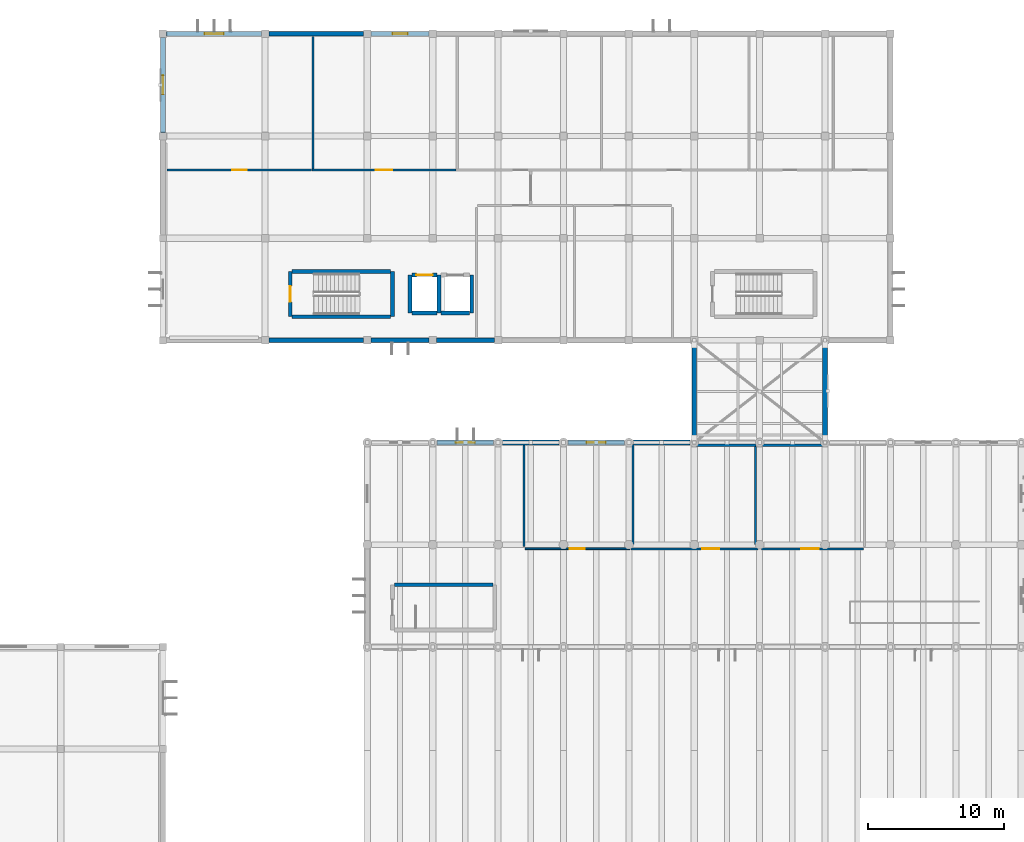
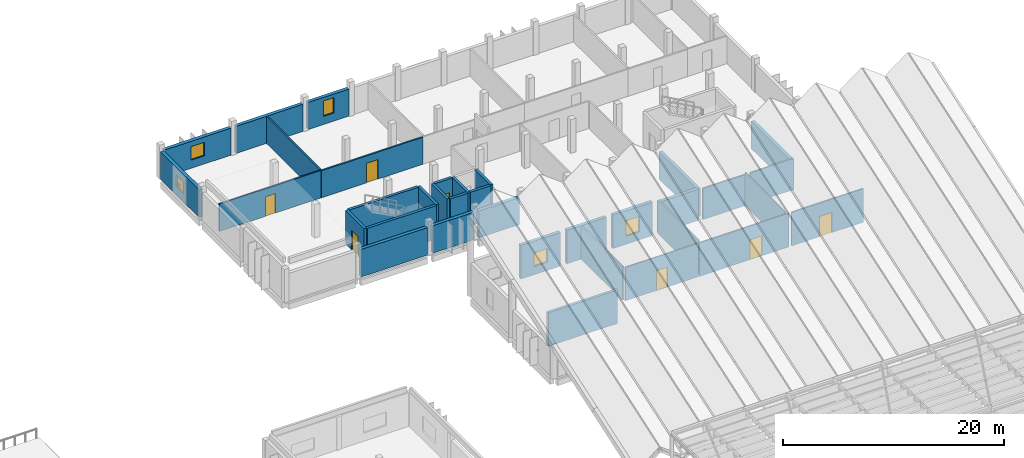
# One storey, part 30 of 47: 35 walls, 7 doors, 5 windows, 12 openings.
"""IFC4 building model written with IfcOpenShell, lengths in metres."""

from ifc_helpers import new_model, si_unit, direction, frame, frame_2d, origin, place, context, subcontext, project, spatial, rectangle, extrude, material, layer, layer_set, type_object, element, fill, save


model = new_model("IFC4")

# Units and contexts
model_context = context("Model", 3, precision=1e-05, world=origin(), true_north=direction((0.0, 1.0)))
body_context = subcontext(model_context, "Body", "Model", "MODEL_VIEW")
ifc_project = project(units=[si_unit("LENGTHUNIT", "METRE"), si_unit("AREAUNIT", "SQUARE_METRE"), si_unit("VOLUMEUNIT", "CUBIC_METRE"), si_unit("PLANEANGLEUNIT", "RADIAN"), si_unit("MASSUNIT", "GRAM", prefix="KILO")], contexts=[model_context])

# Site, building, storey
site_placement = place(None, origin())
site = spatial("IfcSite", under=ifc_project, at=site_placement, CompositionType="ELEMENT")
building_placement = place(site_placement, origin())
building = spatial("IfcBuilding", under=site, at=building_placement, Name="Mawjan Specialist Oncology Clinic", CompositionType="ELEMENT")
storey_placement = place(building_placement, frame((0.0, 0.0, 9.5)))
storey = spatial("IfcBuildingStorey", under=building, at=storey_placement, Name="L02", CompositionType="ELEMENT", Elevation=9.5)

# Walls
ifc_material_1 = material(Name="Precast concrete C40/50", Category="concrete")
ifc_layer_1 = layer(ifc_material_1, 0.35009765625, Name="Precast concrete C40/50", Category="concrete")
ifc_layer_set_1 = layer_set([ifc_layer_1], Name="Precast concrete C40/50")
wall_type_1 = type_object("IfcWallType", Name="EW-350", PredefinedType="SOLIDWALL", material=ifc_layer_set_1)
wall_1_placement = place(storey_placement, frame((69.324951171875, 83.300048828125, 0.0), z_axis=(0.0, 0.0, 1.0), x_axis=(-1.0, 0.0, 0.0)))
element("IfcWall", 1, at=wall_1_placement, inside=storey, type_object=wall_type_1, Name="L02 Coral-Limestone Exterior Wall EW-L02-209", PredefinedType="SOLIDWALL", context=body_context, shape_type="SweptSolid", body=[
    extrude(rectangle(XDim=4.25, YDim=0.35009765625, at=frame_2d((2.125, 0.0))), origin(), (0.0, 0.0, 1.0), 2.985107421875),
])
wall_2_placement = place(storey_placement, frame((64.52490234375, 83.300048828125, 0.0), z_axis=(0.0, 0.0, 1.0), x_axis=(-1.0, 0.0, 0.0)))
element("IfcWall", 2, at=wall_2_placement, inside=storey, type_object=wall_type_1, Name="L02 Coral-Limestone Exterior Wall EW-L02-210", PredefinedType="SOLIDWALL", context=body_context, shape_type="SweptSolid", body=[
    extrude(rectangle(XDim=4.25, YDim=0.35009765625, at=frame_2d((2.125, 0.0))), origin(), (0.0, 0.0, 1.0), 3.034912109375),
])
wall_3_placement = place(storey_placement, frame((59.72509765625, 83.300048828125, 0.0), z_axis=(0.0, 0.0, 1.0), x_axis=(-1.0, 0.0, 0.0)))
element("IfcWall", 3, at=wall_3_placement, inside=storey, type_object=wall_type_1, Name="L02 Coral-Limestone Exterior Wall EW-L02-211", PredefinedType="SOLIDWALL", context=body_context, shape_type="SweptSolid", body=[
    extrude(rectangle(XDim=6.9501953125, YDim=0.35009765625, at=frame_2d((3.47509765625, 0.0))), origin(), (0.0, 0.0, 1.0), 3.034912109375),
])

# Wall, opening, window
wall_4_placement = place(storey_placement, frame((45.0, 98.574951171875, 0.0), z_axis=(0.0, 0.0, 1.0), x_axis=(0.0, 1.0, 0.0)))
wall_4 = element("IfcWall", 4, at=wall_4_placement, inside=storey, type_object=wall_type_1, Name="L02 Coral-Limestone Exterior Wall EW-L02-215", PredefinedType="SOLIDWALL", context=body_context, shape_type="SweptSolid", body=[
    extrude(rectangle(XDim=6.949951171875, YDim=0.35009765625, at=frame_2d((3.47509765625, 0.0))), origin(), (0.0, 0.0, 1.0), 3.034912109375),
])
opening_1_placement = place(wall_4_placement, frame((2.77490234375, 0.0, 0.89990234375)))
opening_1 = element("IfcOpeningElement", 5, at=opening_1_placement, cuts=wall_4, Name="Opening WN-13", PredefinedType="OPENING", context=body_context, shape_type="SweptSolid", body=[
    extrude(rectangle(XDim=1.39990234375, YDim=1.300048828125, at=frame_2d((0.699951171875, 0.64990234375))), frame((0.0, 0.18701171875, 0.0), z_axis=(0.0, -1.0, 0.0), x_axis=(1.0, 0.0, 0.0)), (0.0, 0.0, 1.0), 0.3740234375),
])
ifc_material_2 = material(Name="Thermally broken low-E clinical aluminium window", Category="aluminium")
window_type_1 = type_object("IfcWindowType", Name="WN-13", PartitioningType="SINGLE_PANEL", PredefinedType="WINDOW", material=ifc_material_2)
window_1_placement = place(opening_1_placement, origin())
window_1 = element("IfcWindow", 6, at=window_1_placement, inside=storey, type_object=window_type_1, Name="L02 Clinical Low-E Window 041", OverallHeight=1.300048828125, OverallWidth=1.39990234375, PartitioningType="SINGLE_PANEL", PredefinedType="WINDOW", context=body_context, shape_type="SweptSolid", body=[
    extrude(rectangle(XDim=1.39990234375, YDim=1.300048828125, at=frame_2d((0.699951171875, 0.64990234375))), frame((0.0, 0.030029296875, 0.0), z_axis=(0.0, -1.0, 0.0), x_axis=(1.0, 0.0, 0.0)), (0.0, 0.0, 1.0), 0.06005859375),
])
fill(opening_1, window_1)

wall_5_placement = place(storey_placement, frame((45.27490234375, 105.800048828125, 0.0), z_axis=(0.0, 0.0, 1.0), x_axis=(1.0, 0.0, 0.0)))
wall_5 = element("IfcWall", 7, at=wall_5_placement, inside=storey, type_object=wall_type_1, Name="L02 Coral-Limestone Exterior Wall EW-L02-216", PredefinedType="SOLIDWALL", context=body_context, shape_type="SweptSolid", body=[
    extrude(rectangle(XDim=6.9501953125, YDim=0.35009765625, at=frame_2d((3.47509765625, 0.0))), origin(), (0.0, 0.0, 1.0), 2.985107421875),
])
opening_2_placement = place(wall_5_placement, frame((2.77490234375, 0.0, 0.89990234375)))
opening_2 = element("IfcOpeningElement", 8, at=opening_2_placement, cuts=wall_5, Name="Opening WN-14", PredefinedType="OPENING", context=body_context, shape_type="SweptSolid", body=[
    extrude(rectangle(XDim=1.39990234375, YDim=1.5, at=frame_2d((0.699951171875, 0.75))), frame((0.0, 0.18701171875, 0.0), z_axis=(0.0, -1.0, 0.0), x_axis=(1.0, 0.0, 0.0)), (0.0, 0.0, 1.0), 0.3740234375),
])
ifc_material_3 = material(Name="Thermally broken low-E clinical aluminium window", Category="aluminium")
window_type_2 = type_object("IfcWindowType", Name="WN-14", PartitioningType="SINGLE_PANEL", PredefinedType="WINDOW", material=ifc_material_3)
window_2_placement = place(opening_2_placement, origin())
window_2 = element("IfcWindow", 9, at=window_2_placement, inside=storey, type_object=window_type_2, Name="L02 Clinical Low-E Window 042", OverallHeight=1.5, OverallWidth=1.39990234375, PartitioningType="SINGLE_PANEL", PredefinedType="WINDOW", context=body_context, shape_type="SweptSolid", body=[
    extrude(rectangle(XDim=1.39990234375, YDim=1.5, at=frame_2d((0.699951171875, 0.75))), frame((0.0, 0.030029296875, 0.0), z_axis=(0.0, -1.0, 0.0), x_axis=(1.0, 0.0, 0.0)), (0.0, 0.0, 1.0), 0.06005859375),
])
fill(opening_2, window_2)

# Wall
wall_6_placement = place(storey_placement, frame((52.77490234375, 105.800048828125, 0.0), z_axis=(0.0, 0.0, 1.0), x_axis=(1.0, 0.0, 0.0)))
element("IfcWall", 10, at=wall_6_placement, inside=storey, type_object=wall_type_1, Name="L02 Coral-Limestone Exterior Wall EW-L02-217", PredefinedType="SOLIDWALL", context=body_context, shape_type="SweptSolid", body=[
    extrude(rectangle(XDim=6.9501953125, YDim=0.35009765625, at=frame_2d((3.47509765625, 0.0))), origin(), (0.0, 0.0, 1.0), 2.985107421875),
])

# Wall, opening, window
wall_7_placement = place(storey_placement, frame((60.27490234375, 105.800048828125, 0.0), z_axis=(0.0, 0.0, 1.0), x_axis=(1.0, 0.0, 0.0)))
wall_7 = element("IfcWall", 11, at=wall_7_placement, inside=storey, type_object=wall_type_1, Name="L02 Coral-Limestone Exterior Wall EW-L02-218", PredefinedType="SOLIDWALL", context=body_context, shape_type="SweptSolid", body=[
    extrude(rectangle(XDim=4.25, YDim=0.35009765625, at=frame_2d((2.125, 0.0))), origin(), (0.0, 0.0, 1.0), 2.985107421875),
])
opening_3_placement = place(wall_7_placement, frame((1.574951171875, 0.0, 0.89990234375)))
opening_3 = element("IfcOpeningElement", 12, at=opening_3_placement, cuts=wall_7, Name="Opening WN-07", PredefinedType="OPENING", context=body_context, shape_type="SweptSolid", body=[
    extrude(rectangle(XDim=1.10009765625, YDim=1.699951171875, at=frame_2d((0.550048828125, 0.85009765625))), frame((0.0, 0.18701171875, 0.0), z_axis=(0.0, -1.0, 0.0), x_axis=(1.0, 0.0, 0.0)), (0.0, 0.0, 1.0), 0.3740234375),
])
ifc_material_4 = material(Name="Thermally broken low-E clinical aluminium window", Category="aluminium")
window_type_3 = type_object("IfcWindowType", Name="WN-07", PartitioningType="SINGLE_PANEL", PredefinedType="WINDOW", material=ifc_material_4)
window_3_placement = place(opening_3_placement, origin())
window_3 = element("IfcWindow", 13, at=window_3_placement, inside=storey, type_object=window_type_3, Name="L02 Clinical Low-E Window 043", OverallHeight=1.699951171875, OverallWidth=1.10009765625, PartitioningType="SINGLE_PANEL", PredefinedType="WINDOW", context=body_context, shape_type="SweptSolid", body=[
    extrude(rectangle(XDim=1.10009765625, YDim=1.699951171875, at=frame_2d((0.550048828125, 0.85009765625))), frame((0.0, 0.030029296875, 0.0), z_axis=(0.0, -1.0, 0.0), x_axis=(1.0, 0.0, 0.0)), (0.0, 0.0, 1.0), 0.06005859375),
])
fill(opening_3, window_3)

# Wall
wall_8_placement = place(storey_placement, frame((93.60009765625, 83.02490234375, 0.0), z_axis=(0.0, 0.0, 1.0), x_axis=(0.0, -1.0, 0.0)))
element("IfcWall", 14, at=wall_8_placement, inside=storey, type_object=wall_type_1, Name="L02 Coral-Limestone Exterior Wall EW-L02-230", PredefinedType="SOLIDWALL", context=body_context, shape_type="SweptSolid", body=[
    extrude(rectangle(XDim=6.89990234375, YDim=0.35009765625, at=frame_2d((3.449951171875, 0.0))), origin(), (0.0, 0.0, 1.0), 3.034912109375),
])

# Wall, opening, window
wall_9_placement = place(storey_placement, frame((65.125, 75.800048828125, 0.0), z_axis=(0.0, 0.0, 1.0), x_axis=(1.0, 0.0, 0.0)))
wall_9 = element("IfcWall", 15, at=wall_9_placement, inside=storey, type_object=wall_type_1, Name="L02 Coral-Limestone Exterior Wall EW-L02-249", PredefinedType="SOLIDWALL", context=body_context, shape_type="SweptSolid", body=[
    extrude(rectangle(XDim=4.14990234375, YDim=0.35009765625, at=frame_2d((2.074951171875, 0.0))), origin(), (0.0, 0.0, 1.0), 3.699951171875),
])
opening_4_placement = place(wall_9_placement, frame((1.375, 0.0, 0.89990234375)))
opening_4 = element("IfcOpeningElement", 16, at=opening_4_placement, cuts=wall_9, Name="Opening WN-14", PredefinedType="OPENING", context=body_context, shape_type="SweptSolid", body=[
    extrude(rectangle(XDim=1.39990234375, YDim=1.5, at=frame_2d((0.699951171875, 0.75))), frame((0.0, 0.18701171875, 0.0), z_axis=(0.0, -1.0, 0.0), x_axis=(1.0, 0.0, 0.0)), (0.0, 0.0, 1.0), 0.3740234375),
])
window_4_placement = place(opening_4_placement, origin())
window_4 = element("IfcWindow", 17, at=window_4_placement, inside=storey, type_object=window_type_2, Name="L02 Clinical Low-E Window 050", OverallHeight=1.5, OverallWidth=1.39990234375, PartitioningType="SINGLE_PANEL", PredefinedType="WINDOW", context=body_context, shape_type="SweptSolid", body=[
    extrude(rectangle(XDim=1.39990234375, YDim=1.5, at=frame_2d((0.699951171875, 0.75))), frame((0.0, 0.030029296875, 0.0), z_axis=(0.0, -1.0, 0.0), x_axis=(1.0, 0.0, 0.0)), (0.0, 0.0, 1.0), 0.06005859375),
])
fill(opening_4, window_4)

# Wall
wall_10_placement = place(storey_placement, frame((69.925048828125, 75.800048828125, 0.0), z_axis=(0.0, 0.0, 1.0), x_axis=(1.0, 0.0, 0.0)))
element("IfcWall", 18, at=wall_10_placement, inside=storey, type_object=wall_type_1, Name="L02 Coral-Limestone Exterior Wall EW-L02-250", PredefinedType="SOLIDWALL", context=body_context, shape_type="SweptSolid", body=[
    extrude(rectangle(XDim=4.14990234375, YDim=0.35009765625, at=frame_2d((2.074951171875, 0.0))), origin(), (0.0, 0.0, 1.0), 3.699951171875),
])

# Wall, opening, window
wall_11_placement = place(storey_placement, frame((74.72509765625, 75.800048828125, 0.0), z_axis=(0.0, 0.0, 1.0), x_axis=(1.0, 0.0, 0.0)))
wall_11 = element("IfcWall", 19, at=wall_11_placement, inside=storey, type_object=wall_type_1, Name="L02 Coral-Limestone Exterior Wall EW-L02-251", PredefinedType="SOLIDWALL", context=body_context, shape_type="SweptSolid", body=[
    extrude(rectangle(XDim=4.14990234375, YDim=0.35009765625, at=frame_2d((2.074951171875, 0.0))), origin(), (0.0, 0.0, 1.0), 3.699951171875),
])
opening_5_placement = place(wall_11_placement, frame((1.375, 0.0, 0.89990234375)))
opening_5 = element("IfcOpeningElement", 20, at=opening_5_placement, cuts=wall_11, Name="Opening WN-15", PredefinedType="OPENING", context=body_context, shape_type="SweptSolid", body=[
    extrude(rectangle(XDim=1.39990234375, YDim=1.699951171875, at=frame_2d((0.699951171875, 0.85009765625))), frame((0.0, 0.18701171875, 0.0), z_axis=(0.0, -1.0, 0.0), x_axis=(1.0, 0.0, 0.0)), (0.0, 0.0, 1.0), 0.3740234375),
])
ifc_material_5 = material(Name="Thermally broken low-E clinical aluminium window", Category="aluminium")
window_type_4 = type_object("IfcWindowType", Name="WN-15", PartitioningType="SINGLE_PANEL", PredefinedType="WINDOW", material=ifc_material_5)
window_5_placement = place(opening_5_placement, origin())
window_5 = element("IfcWindow", 21, at=window_5_placement, inside=storey, type_object=window_type_4, Name="L02 Clinical Low-E Window 051", OverallHeight=1.699951171875, OverallWidth=1.39990234375, PartitioningType="SINGLE_PANEL", PredefinedType="WINDOW", context=body_context, shape_type="SweptSolid", body=[
    extrude(rectangle(XDim=1.39990234375, YDim=1.699951171875, at=frame_2d((0.699951171875, 0.85009765625))), frame((0.0, 0.030029296875, 0.0), z_axis=(0.0, -1.0, 0.0), x_axis=(1.0, 0.0, 0.0)), (0.0, 0.0, 1.0), 0.06005859375),
])
fill(opening_5, window_5)

# Walls
wall_12_placement = place(storey_placement, frame((79.52490234375, 75.800048828125, 0.0), z_axis=(0.0, 0.0, 1.0), x_axis=(1.0, 0.0, 0.0)))
element("IfcWall", 22, at=wall_12_placement, inside=storey, type_object=wall_type_1, Name="L02 Coral-Limestone Exterior Wall EW-L02-252", PredefinedType="SOLIDWALL", context=body_context, shape_type="SweptSolid", body=[
    extrude(rectangle(XDim=4.150146484375, YDim=0.35009765625, at=frame_2d((2.0751953125, 0.0))), origin(), (0.0, 0.0, 1.0), 3.425048828125),
])
wall_13_placement = place(storey_placement, frame((84.0, 76.125, 0.0), z_axis=(0.0, 0.0, 1.0), x_axis=(0.0, 1.0, 0.0)))
element("IfcWall", 23, at=wall_13_placement, inside=storey, type_object=wall_type_1, Name="L02 Coral-Limestone Exterior Wall EW-L02-253", PredefinedType="SOLIDWALL", context=body_context, shape_type="SweptSolid", body=[
    extrude(rectangle(XDim=6.89990234375, YDim=0.35009765625, at=frame_2d((3.449951171875, 0.0))), origin(), (0.0, 0.0, 1.0), 3.034912109375),
])
ifc_material_6 = material(Name="Concrete C45/55", Category="concrete")
ifc_layer_2 = layer(ifc_material_6, 0.280029296875, Name="Concrete C45/55", Category="concrete")
ifc_layer_set_2 = layer_set([ifc_layer_2], Name="Concrete C45/55")
wall_type_2 = type_object("IfcWallType", Name="SW-300", PredefinedType="SHEAR", material=ifc_layer_set_2)
wall_14_placement = place(storey_placement, frame((54.485107421875, 85.0400390625, 0.0), z_axis=(0.0, 0.0, 1.0), x_axis=(1.0, 0.0, 0.0)))
element("IfcWall", 24, at=wall_14_placement, inside=storey, type_object=wall_type_2, Name="L02 Core K3 Stair Shear Wall 1", PredefinedType="SHEAR", context=body_context, shape_type="SweptSolid", body=[
    extrude(rectangle(XDim=7.22998046875, YDim=0.280029296875, at=frame_2d((3.614990234375, 0.0))), origin(), (0.0, 0.0, 1.0), 3.699951171875),
])
wall_15_placement = place(storey_placement, frame((61.860107421875, 85.0400390625, 0.0), z_axis=(0.0, 0.0, 1.0), x_axis=(0.0, 1.0, 0.0)))
element("IfcWall", 25, at=wall_15_placement, inside=storey, type_object=wall_type_2, Name="L02 Core K3 Stair Shear Wall 2", PredefinedType="SHEAR", context=body_context, shape_type="SweptSolid", body=[
    extrude(rectangle(XDim=3.320068359375, YDim=0.280029296875, at=frame_2d((1.66015625, 0.0))), origin(), (0.0, 0.0, 1.0), 3.699951171875),
])
wall_16_placement = place(storey_placement, frame((61.715087890625, 88.360107421875, 0.0), z_axis=(0.0, 0.0, 1.0), x_axis=(-1.0, 0.0, 0.0)))
element("IfcWall", 26, at=wall_16_placement, inside=storey, type_object=wall_type_2, Name="L02 Core K3 Stair Shear Wall 3", PredefinedType="SHEAR", context=body_context, shape_type="SweptSolid", body=[
    extrude(rectangle(XDim=7.22998046875, YDim=0.280029296875, at=frame_2d((3.614990234375, 0.0))), origin(), (0.0, 0.0, 1.0), 3.699951171875),
])

# Wall, opening, door
wall_17_placement = place(storey_placement, frame((54.340087890625, 88.360107421875, 0.0), z_axis=(0.0, 0.0, 1.0), x_axis=(0.0, -1.0, 0.0)))
wall_17 = element("IfcWall", 27, at=wall_17_placement, inside=storey, type_object=wall_type_2, Name="L02 Core K3 Stair Shear Wall 4", PredefinedType="SHEAR", context=body_context, shape_type="SweptSolid", body=[
    extrude(rectangle(XDim=3.320068359375, YDim=0.280029296875, at=frame_2d((1.66015625, 0.0))), origin(), (0.0, 0.0, 1.0), 3.699951171875),
])
opening_6_placement = place(wall_17_placement, frame((1.0849609375, 0.0, 0.0)))
opening_6 = element("IfcOpeningElement", 28, at=opening_6_placement, cuts=wall_17, Name="Opening FD-90", PredefinedType="OPENING", context=body_context, shape_type="SweptSolid", body=[
    extrude(rectangle(XDim=1.14990234375, YDim=2.14990234375, at=frame_2d((0.574951171875, 1.074951171875))), frame((0.0, 0.152099609375, 0.0), z_axis=(0.0, -1.0, 0.0), x_axis=(1.0, 0.0, 0.0)), (0.0, 0.0, 1.0), 0.303955078125),
])
ifc_material_7 = material(Name="Stainless-steel fire-rated hospital door", Category="steel")
door_type_1 = type_object("IfcDoorType", Name="FD-90", OperationType="NOTDEFINED", PredefinedType="DOOR", material=ifc_material_7)
door_1_placement = place(opening_6_placement, origin())
door_1 = element("IfcDoor", 29, at=door_1_placement, inside=storey, type_object=door_type_1, Name="L02 ST-03 Fire Exit Stair Door", OperationType="SINGLE_SWING_LEFT", OverallHeight=2.14990234375, OverallWidth=1.14990234375, PredefinedType="DOOR", context=body_context, shape_type="SweptSolid", body=[
    extrude(rectangle(XDim=1.14990234375, YDim=2.14990234375, at=frame_2d((0.574951171875, 1.074951171875))), frame((0.0, 0.02490234375, 0.0), z_axis=(0.0, -1.0, 0.0), x_axis=(1.0, 0.0, 0.0)), (0.0, 0.0, 1.0), 0.050048828125),
])
fill(opening_6, door_1)

# Walls
wall_18_placement = place(storey_placement, frame((63.2861328125, 85.306640625, 0.0), z_axis=(0.0, 0.0, 1.0), x_axis=(1.0, 0.0, 0.0)))
element("IfcWall", 30, at=wall_18_placement, inside=storey, type_object=wall_type_2, Name="L02 LF-05 Hoistway Wall 1", PredefinedType="SHEAR", context=body_context, shape_type="SweptSolid", body=[
    extrude(rectangle(XDim=1.827880859375, YDim=0.280029296875, at=frame_2d((0.9140625, 0.0))), origin(), (0.0, 0.0, 1.0), 3.699951171875),
])
wall_19_placement = place(storey_placement, frame((65.259033203125, 85.306640625, 0.0), z_axis=(0.0, 0.0, 1.0), x_axis=(0.0, 1.0, 0.0)))
element("IfcWall", 31, at=wall_19_placement, inside=storey, type_object=wall_type_2, Name="L02 LF-05 Hoistway Wall 2", PredefinedType="SHEAR", context=body_context, shape_type="SweptSolid", body=[
    extrude(rectangle(XDim=2.78662109375, YDim=0.280029296875, at=frame_2d((1.393310546875, 0.0))), origin(), (0.0, 0.0, 1.0), 3.699951171875),
])

# Wall, opening, door
wall_20_placement = place(storey_placement, frame((65.114013671875, 88.09326171875, 0.0), z_axis=(0.0, 0.0, 1.0), x_axis=(-1.0, 0.0, 0.0)))
wall_20 = element("IfcWall", 32, at=wall_20_placement, inside=storey, type_object=wall_type_2, Name="L02 LF-05 Hoistway Wall 3", PredefinedType="SHEAR", context=body_context, shape_type="SweptSolid", body=[
    extrude(rectangle(XDim=1.827880859375, YDim=0.280029296875, at=frame_2d((0.9140625, 0.0))), origin(), (0.0, 0.0, 1.0), 3.699951171875),
])
opening_7_placement = place(wall_20_placement, frame((0.31396484375, 0.0, 0.0)))
opening_7 = element("IfcOpeningElement", 33, at=opening_7_placement, cuts=wall_20, Name="Opening LD-05-L02", PredefinedType="OPENING", context=body_context, shape_type="SweptSolid", body=[
    extrude(rectangle(XDim=1.199951171875, YDim=2.14990234375, at=frame_2d((0.60009765625, 1.074951171875))), frame((0.0, 0.152099609375, 0.0), z_axis=(0.0, -1.0, 0.0), x_axis=(1.0, 0.0, 0.0)), (0.0, 0.0, 1.0), 0.303955078125),
])
ifc_material_8 = material(Name="Stainless-steel fire-rated hospital door", Category="steel")
door_type_2 = type_object("IfcDoorType", Name="LD-120", OperationType="SLIDING_TO_LEFT", PredefinedType="DOOR", material=ifc_material_8)
door_2_placement = place(opening_7_placement, origin())
door_2 = element("IfcDoor", 34, at=door_2_placement, inside=storey, type_object=door_type_2, Name="L02 LF-05 Sliding Lift Landing Door", OperationType="SLIDING_TO_LEFT", OverallHeight=2.14990234375, OverallWidth=1.199951171875, PredefinedType="DOOR", context=body_context, shape_type="SweptSolid", body=[
    extrude(rectangle(XDim=1.199951171875, YDim=2.14990234375, at=frame_2d((0.60009765625, 1.074951171875))), frame((0.0, 0.02490234375, 0.0), z_axis=(0.0, -1.0, 0.0), x_axis=(1.0, 0.0, 0.0)), (0.0, 0.0, 1.0), 0.050048828125),
])
fill(opening_7, door_2)

# Walls
wall_21_placement = place(storey_placement, frame((63.14111328125, 88.09326171875, 0.0), z_axis=(0.0, 0.0, 1.0), x_axis=(0.0, -1.0, 0.0)))
element("IfcWall", 35, at=wall_21_placement, inside=storey, type_object=wall_type_2, Name="L02 LF-05 Hoistway Wall 4", PredefinedType="SHEAR", context=body_context, shape_type="SweptSolid", body=[
    extrude(rectangle(XDim=2.78662109375, YDim=0.280029296875, at=frame_2d((1.393310546875, 0.0))), origin(), (0.0, 0.0, 1.0), 3.699951171875),
])
wall_22_placement = place(storey_placement, frame((65.40380859375, 85.306640625, 0.0), z_axis=(0.0, 0.0, 1.0), x_axis=(1.0, 0.0, 0.0)))
element("IfcWall", 36, at=wall_22_placement, inside=storey, type_object=wall_type_2, Name="L02 LF-06 Hoistway Wall 1", PredefinedType="SHEAR", context=body_context, shape_type="SweptSolid", body=[
    extrude(rectangle(XDim=2.110107421875, YDim=0.280029296875, at=frame_2d((1.05517578125, 0.0))), origin(), (0.0, 0.0, 1.0), 3.699951171875),
])
wall_23_placement = place(storey_placement, frame((67.658935546875, 85.306640625, 0.0), z_axis=(0.0, 0.0, 1.0), x_axis=(0.0, 1.0, 0.0)))
element("IfcWall", 37, at=wall_23_placement, inside=storey, type_object=wall_type_2, Name="L02 LF-06 Hoistway Wall 2", PredefinedType="SHEAR", context=body_context, shape_type="SweptSolid", body=[
    extrude(rectangle(XDim=2.78662109375, YDim=0.280029296875, at=frame_2d((1.393310546875, 0.0))), origin(), (0.0, 0.0, 1.0), 3.699951171875),
])
wall_24_placement = place(storey_placement, frame((69.215087890625, 65.360107421875, 0.0), z_axis=(0.0, 0.0, 1.0), x_axis=(-1.0, 0.0, 0.0)))
element("IfcWall", 38, at=wall_24_placement, inside=storey, type_object=wall_type_2, Name="L02 Core K7 Stair Shear Wall 3", PredefinedType="SHEAR", context=body_context, shape_type="SweptSolid", body=[
    extrude(rectangle(XDim=7.22998046875, YDim=0.280029296875, at=frame_2d((3.614990234375, 0.0))), origin(), (0.0, 0.0, 1.0), 3.699951171875),
])

# Wall, opening, door
ifc_material_9 = material(Name="Moisture-resistant washroom partition", Category="gypsum")
ifc_layer_3 = layer(ifc_material_9, 0.125, Name="Moisture-resistant washroom partition", Category="gypsum")
ifc_layer_set_3 = layer_set([ifc_layer_3], Name="Moisture-resistant washroom partition")
wall_type_3 = type_object("IfcWallType", Name="WP-125", PredefinedType="PARTITIONING", material=ifc_layer_set_3)
wall_25_placement = place(storey_placement, frame((71.5849609375, 68.0, 0.0), z_axis=(0.0, 0.0, 1.0), x_axis=(1.0, 0.0, 0.0)))
wall_25 = element("IfcWall", 39, at=wall_25_placement, inside=storey, type_object=wall_type_3, Name="L02 Interior Partition W-INT-L02-H21-C", PredefinedType="PARTITIONING", context=body_context, shape_type="SweptSolid", body=[
    extrude(rectangle(XDim=7.6630859375, YDim=0.125, at=frame_2d((3.83154296875, 0.0))), origin(), (0.0, 0.0, 1.0), 3.699951171875),
])
opening_8_placement = place(wall_25_placement, frame((3.271484375, 0.0, 0.0)))
opening_8 = element("IfcOpeningElement", 40, at=opening_8_placement, cuts=wall_25, Name="Opening DI-112", PredefinedType="OPENING", context=body_context, shape_type="SweptSolid", body=[
    extrude(rectangle(XDim=1.1201171875, YDim=2.199951171875, at=frame_2d((0.56005859375, 1.10009765625))), frame((0.0, 0.074462890625, 0.0), z_axis=(0.0, -1.0, 0.0), x_axis=(1.0, 0.0, 0.0)), (0.0, 0.0, 1.0), 0.14892578125),
])
ifc_material_10 = material(Name="Acoustic laminate hospital door leaf", Category="wood")
door_type_3 = type_object("IfcDoorType", Name="DI-112", OperationType="NOTDEFINED", PredefinedType="DOOR", material=ifc_material_10)
door_3_placement = place(opening_8_placement, origin())
door_3 = element("IfcDoor", 41, at=door_3_placement, inside=storey, type_object=door_type_3, Name="L02 Clinical Trials Infusion Suite Door", OperationType="SINGLE_SWING_LEFT", OverallHeight=2.199951171875, OverallWidth=1.1201171875, PredefinedType="DOOR", context=body_context, shape_type="SweptSolid", body=[
    extrude(rectangle(XDim=1.1201171875, YDim=2.199951171875, at=frame_2d((0.56005859375, 1.10009765625))), frame((0.0, 0.02490234375, 0.0), z_axis=(0.0, -1.0, 0.0), x_axis=(1.0, 0.0, 0.0)), (0.0, 0.0, 1.0), 0.050048828125),
])
fill(opening_8, door_3)

# Wall
wall_26_placement = place(storey_placement, frame((88.5, 68.33203125, 0.0), z_axis=(0.0, 0.0, 1.0), x_axis=(0.0, 1.0, 0.0)))
element("IfcWall", 42, at=wall_26_placement, inside=storey, type_object=wall_type_3, Name="L02 Interior Partition W-INT-L02-H22-D", PredefinedType="PARTITIONING", context=body_context, shape_type="SweptSolid", body=[
    extrude(rectangle(XDim=7.176025390625, YDim=0.125, at=frame_2d((3.587890625, 0.0))), origin(), (0.0, 0.0, 1.0), 3.699951171875),
])

# Wall, opening, door
ifc_material_11 = material(Name="Acoustic gypsum clinical partition", Category="gypsum")
ifc_layer_4 = layer(ifc_material_11, 0.14990234375, Name="Acoustic gypsum clinical partition", Category="gypsum")
ifc_layer_set_4 = layer_set([ifc_layer_4], Name="Acoustic gypsum clinical partition")
wall_type_4 = type_object("IfcWallType", Name="WP-150", PredefinedType="PARTITIONING", material=ifc_layer_set_4)
wall_27_placement = place(storey_placement, frame((79.3369140625, 68.0, 0.0), z_axis=(0.0, 0.0, 1.0), x_axis=(1.0, 0.0, 0.0)))
wall_27 = element("IfcWall", 43, at=wall_27_placement, inside=storey, type_object=wall_type_4, Name="L02 Interior Partition W-INT-L02-H22-C", PredefinedType="PARTITIONING", context=body_context, shape_type="SweptSolid", body=[
    extrude(rectangle(XDim=9.326171875, YDim=0.14990234375, at=frame_2d((4.6630859375, 0.0))), origin(), (0.0, 0.0, 1.0), 3.699951171875),
])
opening_9_placement = place(wall_27_placement, frame((5.256103515625, 0.0, 0.0)))
opening_9 = element("IfcOpeningElement", 44, at=opening_9_placement, cuts=wall_27, Name="Opening DC-124", PredefinedType="OPENING", context=body_context, shape_type="SweptSolid", body=[
    extrude(rectangle(XDim=1.239990234375, YDim=2.199951171875, at=frame_2d((0.6201171875, 1.10009765625))), frame((0.0, 0.0869140625, 0.0), z_axis=(0.0, -1.0, 0.0), x_axis=(1.0, 0.0, 0.0)), (0.0, 0.0, 1.0), 0.173828125),
])
ifc_material_12 = material(Name="Acoustic laminate hospital door leaf", Category="wood")
door_type_4 = type_object("IfcDoorType", Name="DC-124", OperationType="NOTDEFINED", PredefinedType="DOOR", material=ifc_material_12)
door_4_placement = place(opening_9_placement, origin())
door_4 = element("IfcDoor", 45, at=door_4_placement, inside=storey, type_object=door_type_4, Name="L02 Targeted Biologics Treatment Hall Door", OperationType="SINGLE_SWING_RIGHT", OverallHeight=2.199951171875, OverallWidth=1.239990234375, PredefinedType="DOOR", context=body_context, shape_type="SweptSolid", body=[
    extrude(rectangle(XDim=1.239990234375, YDim=2.199951171875, at=frame_2d((0.6201171875, 1.10009765625))), frame((0.0, 0.02490234375, 0.0), z_axis=(0.0, -1.0, 0.0), x_axis=(1.0, 0.0, 0.0)), (0.0, 0.0, 1.0), 0.050048828125),
])
fill(opening_9, door_4)

wall_28_placement = place(storey_placement, frame((88.93701171875, 68.0, 0.0), z_axis=(0.0, 0.0, 1.0), x_axis=(1.0, 0.0, 0.0)))
wall_28 = element("IfcWall", 46, at=wall_28_placement, inside=storey, type_object=wall_type_4, Name="L02 Interior Partition W-INT-L02-H23-C", PredefinedType="PARTITIONING", context=body_context, shape_type="SweptSolid", body=[
    extrude(rectangle(XDim=7.47802734375, YDim=0.14990234375, at=frame_2d((3.739013671875, 0.0))), origin(), (0.0, 0.0, 1.0), 3.699951171875),
])
opening_10_placement = place(wall_28_placement, frame((2.9130859375, 0.0, 0.0)))
opening_10 = element("IfcOpeningElement", 47, at=opening_10_placement, cuts=wall_28, Name="Opening DC-128", PredefinedType="OPENING", context=body_context, shape_type="SweptSolid", body=[
    extrude(rectangle(XDim=1.280029296875, YDim=2.219970703125, at=frame_2d((0.64013671875, 1.10986328125))), frame((0.0, 0.0869140625, 0.0), z_axis=(0.0, -1.0, 0.0), x_axis=(1.0, 0.0, 0.0)), (0.0, 0.0, 1.0), 0.173828125),
])
ifc_material_13 = material(Name="Acoustic laminate hospital door leaf", Category="wood")
door_type_5 = type_object("IfcDoorType", Name="DC-128", OperationType="NOTDEFINED", PredefinedType="DOOR", material=ifc_material_13)
door_5_placement = place(opening_10_placement, origin())
door_5 = element("IfcDoor", 48, at=door_5_placement, inside=storey, type_object=door_type_5, Name="L02 Accessible Washroom Door", OperationType="SINGLE_SWING_LEFT", OverallHeight=2.219970703125, OverallWidth=1.280029296875, PredefinedType="DOOR", context=body_context, shape_type="SweptSolid", body=[
    extrude(rectangle(XDim=1.280029296875, YDim=2.219970703125, at=frame_2d((0.64013671875, 1.10986328125))), frame((0.0, 0.02490234375, 0.0), z_axis=(0.0, -1.0, 0.0), x_axis=(1.0, 0.0, 0.0)), (0.0, 0.0, 1.0), 0.050048828125),
])
fill(opening_10, door_5)

wall_29_placement = place(storey_placement, frame((45.31201171875, 95.800048828125, 0.0), z_axis=(0.0, 0.0, 1.0), x_axis=(1.0, 0.0, 0.0)))
wall_29 = element("IfcWall", 49, at=wall_29_placement, inside=storey, type_object=wall_type_4, Name="L02 Interior Partition W-INT-L02-P21-C", PredefinedType="PARTITIONING", context=body_context, shape_type="SweptSolid", body=[
    extrude(rectangle(XDim=10.60302734375, YDim=0.14990234375, at=frame_2d((5.301513671875, 0.0))), origin(), (0.0, 0.0, 1.0), 3.034912109375),
])
opening_11_placement = place(wall_29_placement, frame((4.776611328125, 0.0, 0.0)))
opening_11 = element("IfcOpeningElement", 50, at=opening_11_placement, cuts=wall_29, Name="Opening DI-105", PredefinedType="OPENING", context=body_context, shape_type="SweptSolid", body=[
    extrude(rectangle(XDim=1.050048828125, YDim=2.14990234375, at=frame_2d((0.52490234375, 1.074951171875))), frame((0.0, 0.0869140625, 0.0), z_axis=(0.0, -1.0, 0.0), x_axis=(1.0, 0.0, 0.0)), (0.0, 0.0, 1.0), 0.173828125),
])
ifc_material_14 = material(Name="Acoustic laminate hospital door leaf", Category="wood")
door_type_6 = type_object("IfcDoorType", Name="DI-105", OperationType="NOTDEFINED", PredefinedType="DOOR", material=ifc_material_14)
door_6_placement = place(opening_11_placement, origin())
door_6 = element("IfcDoor", 51, at=door_6_placement, inside=storey, type_object=door_type_6, Name="L02 Bronchoscopy Procedure Suite Door", OperationType="SINGLE_SWING_LEFT", OverallHeight=2.14990234375, OverallWidth=1.050048828125, PredefinedType="DOOR", context=body_context, shape_type="SweptSolid", body=[
    extrude(rectangle(XDim=1.050048828125, YDim=2.14990234375, at=frame_2d((0.52490234375, 1.074951171875))), frame((0.0, 0.02490234375, 0.0), z_axis=(0.0, -1.0, 0.0), x_axis=(1.0, 0.0, 0.0)), (0.0, 0.0, 1.0), 0.050048828125),
])
fill(opening_11, door_6)

# Walls
wall_30_placement = place(storey_placement, frame((79.5, 68.33203125, 0.0), z_axis=(0.0, 0.0, 1.0), x_axis=(0.0, 1.0, 0.0)))
element("IfcWall", 52, at=wall_30_placement, inside=storey, type_object=wall_type_4, Name="L02 Interior Partition W-INT-L02-H21-D", PredefinedType="PARTITIONING", context=body_context, shape_type="SweptSolid", body=[
    extrude(rectangle(XDim=7.3310546875, YDim=0.14990234375, at=frame_2d((3.66552734375, 0.0))), origin(), (0.0, 0.0, 1.0), 3.699951171875),
])
wall_31_placement = place(storey_placement, frame((56.0, 95.89208984375, 0.0), z_axis=(0.0, 0.0, 1.0), x_axis=(0.0, 1.0, 0.0)))
element("IfcWall", 53, at=wall_31_placement, inside=storey, type_object=wall_type_4, Name="L02 Interior Partition W-INT-L02-P21-D", PredefinedType="PARTITIONING", context=body_context, shape_type="SweptSolid", body=[
    extrude(rectangle(XDim=9.720947265625, YDim=0.14990234375, at=frame_2d((4.8603515625, 0.0))), origin(), (0.0, 0.0, 1.0), 2.985107421875),
])

# Wall, opening, door
ifc_material_15 = material(Name="Acoustic clinical twin-stud partition", Category="gypsum")
ifc_layer_5 = layer(ifc_material_15, 0.159912109375, Name="Acoustic clinical twin-stud partition", Category="gypsum")
ifc_layer_set_5 = layer_set([ifc_layer_5], Name="Acoustic clinical twin-stud partition")
wall_type_5 = type_object("IfcWallType", Name="WP-160", PredefinedType="PARTITIONING", material=ifc_layer_set_5)
wall_32_placement = place(storey_placement, frame((55.927001953125, 95.800048828125, 0.0), z_axis=(0.0, 0.0, 1.0), x_axis=(1.0, 0.0, 0.0)))
wall_32 = element("IfcWall", 54, at=wall_32_placement, inside=storey, type_object=wall_type_5, Name="L02 Interior Partition W-INT-L02-P22-C", PredefinedType="PARTITIONING", context=body_context, shape_type="SweptSolid", body=[
    extrude(rectangle(XDim=10.587890625, YDim=0.159912109375, at=frame_2d((5.2939453125, 0.0))), origin(), (0.0, 0.0, 1.0), 2.985107421875),
])
opening_12_placement = place(wall_32_placement, frame((4.694091796875, 0.0, 0.0)))
opening_12 = element("IfcOpeningElement", 55, at=opening_12_placement, cuts=wall_32, Name="Opening DC-120", PredefinedType="OPENING", context=body_context, shape_type="SweptSolid", body=[
    extrude(rectangle(XDim=1.199951171875, YDim=2.14990234375, at=frame_2d((0.60009765625, 1.074951171875))), frame((0.0, 0.092041015625, 0.0), z_axis=(0.0, -1.0, 0.0), x_axis=(1.0, 0.0, 0.0)), (0.0, 0.0, 1.0), 0.183837890625),
])
ifc_material_16 = material(Name="Acoustic laminate hospital door leaf", Category="wood")
door_type_7 = type_object("IfcDoorType", Name="DC-120", OperationType="NOTDEFINED", PredefinedType="DOOR", material=ifc_material_16)
door_7_placement = place(opening_12_placement, origin())
door_7 = element("IfcDoor", 56, at=door_7_placement, inside=storey, type_object=door_type_7, Name="L02 GI Endoscopy Procedure Room Door", OperationType="SINGLE_SWING_RIGHT", OverallHeight=2.14990234375, OverallWidth=1.199951171875, PredefinedType="DOOR", context=body_context, shape_type="SweptSolid", body=[
    extrude(rectangle(XDim=1.199951171875, YDim=2.14990234375, at=frame_2d((0.60009765625, 1.074951171875))), frame((0.0, 0.02490234375, 0.0), z_axis=(0.0, -1.0, 0.0), x_axis=(1.0, 0.0, 0.0)), (0.0, 0.0, 1.0), 0.050048828125),
])
fill(opening_12, door_7)

# Walls
wall_33_placement = place(storey_placement, frame((84.0595703125, 75.60009765625, 0.0), z_axis=(0.0, 0.0, 1.0), x_axis=(1.0, 0.0, 0.0)))
element("IfcWall", 57, at=wall_33_placement, inside=storey, type_object=wall_type_5, Name="L02 Interior Partition W-INT-L02-H22-R", PredefinedType="PARTITIONING", context=body_context, shape_type="SweptSolid", body=[
    extrude(rectangle(XDim=4.472412109375, YDim=0.159912109375, at=frame_2d((2.236328125, 0.0))), origin(), (0.0, 0.0, 1.0), 3.425048828125),
])
wall_34_placement = place(storey_placement, frame((89.024169921875, 75.60009765625, 0.0), z_axis=(0.0, 0.0, 1.0), x_axis=(1.0, 0.0, 0.0)))
element("IfcWall", 58, at=wall_34_placement, inside=storey, type_object=wall_type_5, Name="L02 Interior Partition W-INT-L02-H23-R", PredefinedType="PARTITIONING", context=body_context, shape_type="SweptSolid", body=[
    extrude(rectangle(XDim=4.516357421875, YDim=0.159912109375, at=frame_2d((2.25830078125, 0.0))), origin(), (0.0, 0.0, 1.0), 3.425048828125),
])
wall_35_placement = place(storey_placement, frame((71.5, 68.1650390625, 0.0), z_axis=(0.0, 0.0, 1.0), x_axis=(0.0, 1.0, 0.0)))
element("IfcWall", 59, at=wall_35_placement, inside=storey, type_object=wall_type_5, Name="L02 Interior Partition W-INT-L02-H21-D0", PredefinedType="PARTITIONING", context=body_context, shape_type="SweptSolid", body=[
    extrude(rectangle(XDim=7.447998046875, YDim=0.159912109375, at=frame_2d((3.72412109375, 0.0))), origin(), (0.0, 0.0, 1.0), 3.699951171875),
])

save(model, "model.ifc")
